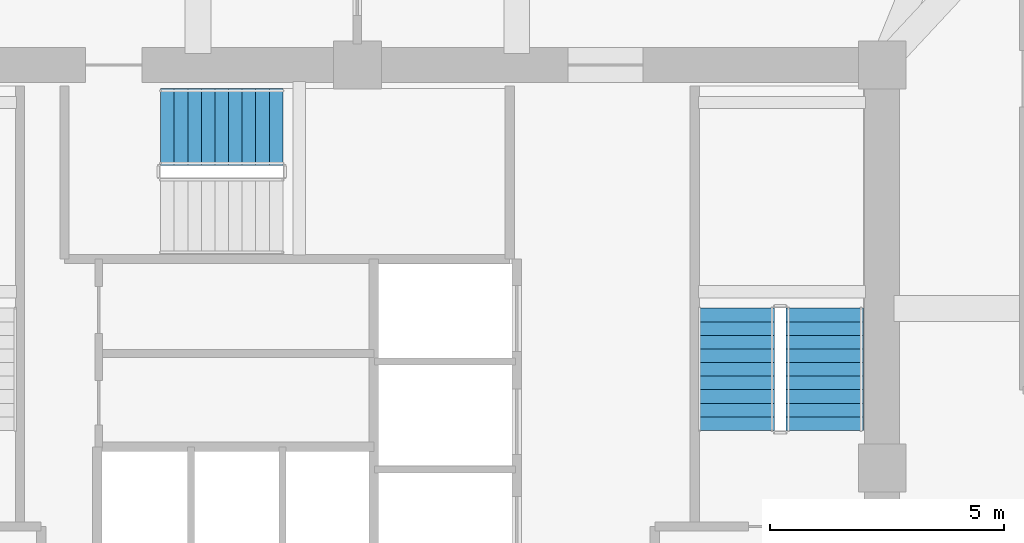
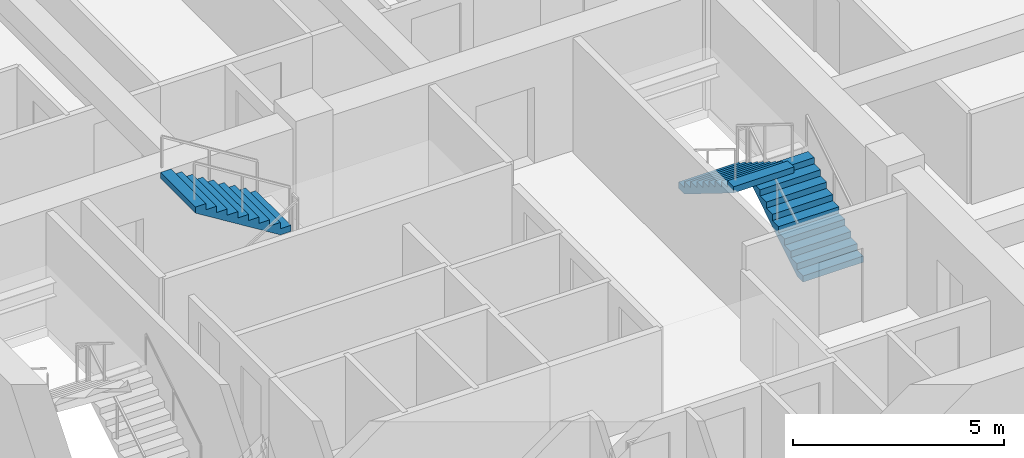
# One storey, part 10 of 12: 3 stair flights, 2 elements without a shape of their own.
"""IFC4 building model written with IfcOpenShell, lengths in metres."""

from ifc_helpers import new_model, si_unit, derived_unit, direction, frame, origin, place, context, subcontext, project, spatial, polyline, outline, extrude, material, type_object, element, aggregate, save


model = new_model("IFC4")

# Units and contexts
model_context = context("Model", 3, precision=1e-05, world=origin(), true_north=direction((0.0, 1.0)))
body_context = subcontext(model_context, "Body", "Model", "MODEL_VIEW")
ifc_project = project(units=[si_unit("LENGTHUNIT", "METRE"), si_unit("AREAUNIT", "SQUARE_METRE"), si_unit("VOLUMEUNIT", "CUBIC_METRE"), si_unit("PLANEANGLEUNIT", "RADIAN"), si_unit("MASSUNIT", "GRAM", prefix="KILO"), derived_unit("THERMALTRANSMITTANCEUNIT", [(si_unit("POWERUNIT", "WATT"), 1), (si_unit("LENGTHUNIT", "METRE"), -2), (si_unit("THERMODYNAMICTEMPERATUREUNIT", "KELVIN"), -1)])], contexts=[model_context])

# Site, building, storey
site_placement = place(None, origin())
site = spatial("IfcSite", under=ifc_project, at=site_placement, CompositionType="ELEMENT")
building_placement = place(site_placement, origin())
building = spatial("IfcBuilding", under=site, at=building_placement, Name="Koralith Skygarden Medical Center", CompositionType="ELEMENT")
storey_placement = place(building_placement, frame((0.0, 0.0, 138.419921875)))
storey = spatial("IfcBuildingStorey", under=building, at=storey_placement, Name="L35", CompositionType="ELEMENT", Elevation=138.419921875)

# Stair, stair flights
ifc_material = material(Name="Concrete C45/55", Category="concrete")
stair_type = type_object("IfcStairType", Name="Core Exit Dogleg Concrete Stair", PredefinedType="HALF_TURN_STAIR", material=ifc_material)
stair_1_placement = place(storey_placement, origin())
stair_1 = element("IfcStair", 1, at=stair_1_placement, inside=storey, type_object=stair_type, Name="L35 Smokeproof Exit Stair ST2", PredefinedType="HALF_TURN_STAIR")
stair_flight_type = type_object("IfcStairFlightType", Name="Core Exit Concrete Stair Flight 1650", PredefinedType="STRAIGHT", material=ifc_material)
stair_flight_1_placement = place(storey_placement, frame((46.97509765625, 26.699951171875, 0.0), z_axis=(0.0, 0.0, 1.0), x_axis=(0.0, 1.0, 0.0)))
stair_flight_1 = element("IfcStairFlight", 2, at=stair_flight_1_placement, type_object=stair_flight_type, Name="ST2 flight 1", NumberOfRisers=10, NumberOfTreads=9, PredefinedType="STRAIGHT", RiserHeight=0.18, TreadLength=0.29, context=body_context, shape_type="SweptSolid", body=[
    extrude(outline(polyline([(0.0, 0.0), (0.0, 0.179931640625), (0.2900390625, 0.179931640625), (0.2900390625, 0.360107421875), (0.580078125, 0.360107421875), (0.580078125, 0.5400390625), (0.8701171875, 0.5400390625), (0.8701171875, 0.719970703125), (1.159912109375, 0.719970703125), (1.159912109375, 0.89990234375), (1.449951171875, 0.89990234375), (1.449951171875, 1.080078125), (1.739990234375, 1.080078125), (1.739990234375, 1.260009765625), (2.030029296875, 1.260009765625), (2.030029296875, 1.43994140625), (2.320068359375, 1.43994140625), (2.320068359375, 1.6201171875), (2.610107421875, 1.6201171875), (2.610107421875, 1.800048828125), (2.610107421875, 1.443603515625), (0.2841796875, 0.0), (0.0, 0.0)])), frame((0.0, 0.824951171875, 0.0), z_axis=(0.0, -1.0, 0.0), x_axis=(1.0, 0.0, 0.0)), (0.0, 0.0, 1.0), 1.64990234375),
])
stair_flight_2_placement = place(storey_placement, frame((45.074951171875, 29.31005859375, 1.800048828125), z_axis=(0.0, 0.0, 1.0), x_axis=(0.0, -1.0, 0.0)))
stair_flight_2 = element("IfcStairFlight", 3, at=stair_flight_2_placement, type_object=stair_flight_type, Name="ST2 flight 2", NumberOfRisers=10, NumberOfTreads=9, PredefinedType="STRAIGHT", RiserHeight=0.18, TreadLength=0.29, context=body_context, shape_type="SweptSolid", body=[
    extrude(outline(polyline([(0.0, 0.0), (0.0, 0.179931640625), (0.2900390625, 0.179931640625), (0.2900390625, 0.360107421875), (0.580078125, 0.360107421875), (0.580078125, 0.5400390625), (0.8701171875, 0.5400390625), (0.8701171875, 0.719970703125), (1.159912109375, 0.719970703125), (1.159912109375, 0.89990234375), (1.449951171875, 0.89990234375), (1.449951171875, 1.080078125), (1.739990234375, 1.080078125), (1.739990234375, 1.260009765625), (2.030029296875, 1.260009765625), (2.030029296875, 1.43994140625), (2.320068359375, 1.43994140625), (2.320068359375, 1.6201171875), (2.610107421875, 1.6201171875), (2.610107421875, 1.800048828125), (2.610107421875, 1.443603515625), (0.2841796875, 0.0), (0.0, 0.0)])), frame((0.0, 0.824951171875, 0.0), z_axis=(0.0, -1.0, 0.0), x_axis=(1.0, 0.0, 0.0)), (0.0, 0.0, 1.0), 1.64990234375),
])
aggregate(stair_1, [stair_flight_1, stair_flight_2])

# Stair, stair flight
stair_2_placement = place(storey_placement, origin())
stair_2 = element("IfcStair", 4, at=stair_2_placement, inside=storey, type_object=stair_type, Name="L35 Smokeproof Exit Stair ST3", PredefinedType="HALF_TURN_STAIR")
stair_flight_3_placement = place(storey_placement, frame((35.409912109375, 33.175048828125, 1.800048828125), z_axis=(0.0, 0.0, 1.0), x_axis=(-1.0, 0.0, 0.0)))
stair_flight_3 = element("IfcStairFlight", 5, at=stair_flight_3_placement, type_object=stair_flight_type, Name="ST3 flight 2", NumberOfRisers=10, NumberOfTreads=9, PredefinedType="STRAIGHT", RiserHeight=0.18, TreadLength=0.29, context=body_context, shape_type="SweptSolid", body=[
    extrude(outline(polyline([(0.0, 0.0), (0.0, 0.179931640625), (0.2900390625, 0.179931640625), (0.2900390625, 0.360107421875), (0.580078125, 0.360107421875), (0.580078125, 0.5400390625), (0.8701171875, 0.5400390625), (0.8701171875, 0.719970703125), (1.159912109375, 0.719970703125), (1.159912109375, 0.89990234375), (1.449951171875, 0.89990234375), (1.449951171875, 1.080078125), (1.739990234375, 1.080078125), (1.739990234375, 1.260009765625), (2.030029296875, 1.260009765625), (2.030029296875, 1.43994140625), (2.320068359375, 1.43994140625), (2.320068359375, 1.6201171875), (2.610107421875, 1.6201171875), (2.610107421875, 1.800048828125), (2.610107421875, 1.443603515625), (0.2841796875, 0.0), (0.0, 0.0)])), frame((0.0, 0.824951171875, 0.0), z_axis=(0.0, -1.0, 0.0), x_axis=(1.0, 0.0, 0.0)), (0.0, 0.0, 1.0), 1.64990234375),
])
aggregate(stair_2, [stair_flight_3])

save(model, "model.ifc")
